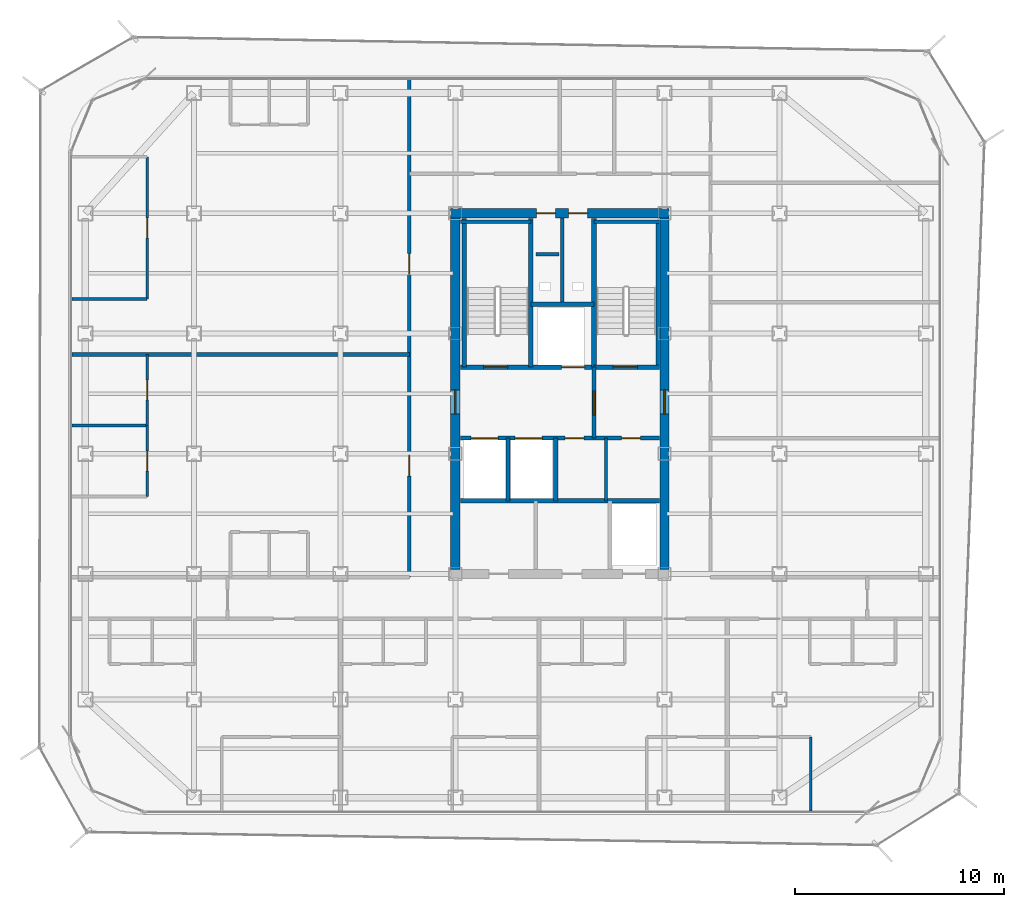
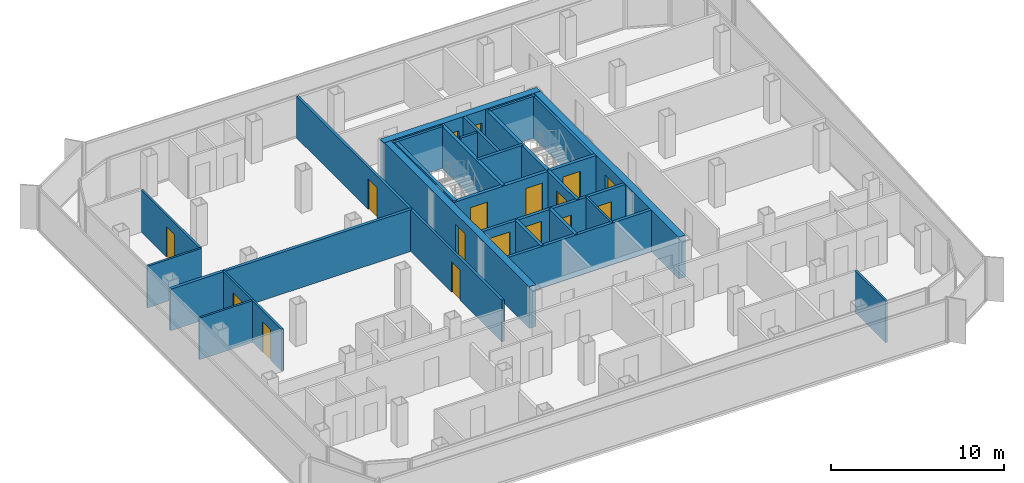
# One storey, part 11 of 16: 28 walls, 17 doors, 17 openings.
"""IFC4 building model written with IfcOpenShell, lengths in metres."""

from ifc_helpers import new_model, si_unit, direction, frame, frame_2d, origin, place, context, subcontext, project, spatial, rectangle, extrude, material, layer, layer_set, type_object, element, fill, save


model = new_model("IFC4")

# Units and contexts
model_context = context("Model", 3, precision=1e-05, world=origin(), true_north=direction((0.0, 1.0)))
body_context = subcontext(model_context, "Body", "Model", "MODEL_VIEW")
ifc_project = project(units=[si_unit("LENGTHUNIT", "METRE"), si_unit("AREAUNIT", "SQUARE_METRE"), si_unit("VOLUMEUNIT", "CUBIC_METRE"), si_unit("PLANEANGLEUNIT", "RADIAN"), si_unit("MASSUNIT", "GRAM", prefix="KILO")], contexts=[model_context])

# Site, building, storey
site_placement = place(None, origin())
site = spatial("IfcSite", under=ifc_project, at=site_placement, CompositionType="ELEMENT")
building_placement = place(site_placement, origin())
building = spatial("IfcBuilding", under=site, at=building_placement, Name="Kolveth Station Tower", CompositionType="ELEMENT")
storey_placement = place(building_placement, frame((0.0, 0.0, 206.0)))
storey = spatial("IfcBuildingStorey", under=building, at=storey_placement, Name="L58", CompositionType="ELEMENT", Elevation=206.0)

# Wall, openings, doors
ifc_material_1 = material(Name="Concrete C50/60", Category="concrete")
ifc_layer_1 = layer(ifc_material_1, 0.449951171875)
ifc_layer_set_1 = layer_set([ifc_layer_1], Name="Concrete C50/60")
wall_type_1 = type_object("IfcWallType", Name="Wall_CW-450", PredefinedType="SHEAR", material=ifc_layer_set_1)
wall_1_placement = place(storey_placement, frame((18.27490234375, 28.75, 0.0), z_axis=(0.0, 0.0, 1.0), x_axis=(1.0, 0.0, 0.0)))
wall_1 = element("IfcWall", 1, at=wall_1_placement, inside=storey, type_object=wall_type_1, Name="L58 Core RC Shear Wall N", PredefinedType="SHEAR", context=body_context, shape_type="SweptSolid", body=[
    extrude(rectangle(XDim=10.4501953125, YDim=0.449951171875, at=frame_2d((5.22509765625, 0.0))), origin(), (0.0, 0.0, 1.0), 2.949951171875),
])
opening_1_placement = place(wall_1_placement, frame((4.10498046875, 0.0, 0.0)))
opening_1 = element("IfcOpeningElement", 2, at=opening_1_placement, cuts=wall_1, Name="Opening RD1", PredefinedType="OPENING", context=body_context, shape_type="SweptSolid", body=[
    extrude(rectangle(XDim=0.89990234375, YDim=2.050048828125, at=frame_2d((0.449951171875, 1.02490234375))), frame((0.0, 0.23486328125, 0.0), z_axis=(0.0, -1.0, 0.0), x_axis=(1.0, 0.0, 0.0)), (0.0, 0.0, 1.0), 0.469970703125),
])
opening_2_placement = place(wall_1_placement, frame((5.64501953125, 0.0, 0.0)))
opening_2 = element("IfcOpeningElement", 3, at=opening_2_placement, cuts=wall_1, Name="Opening RD1", PredefinedType="OPENING", context=body_context, shape_type="SweptSolid", body=[
    extrude(rectangle(XDim=0.89990234375, YDim=2.050048828125, at=frame_2d((0.449951171875, 1.02490234375))), frame((0.0, 0.23486328125, 0.0), z_axis=(0.0, -1.0, 0.0), x_axis=(1.0, 0.0, 0.0)), (0.0, 0.0, 1.0), 0.469970703125),
])
ifc_material_2 = material(Name="Fire-rated Steel S355 riser access leaf", Category="steel")
door_type_1 = type_object("IfcDoorType", Name="Door_RD1", OperationType="NOTDEFINED", PredefinedType="DOOR", material=ifc_material_2)
door_1_placement = place(opening_1_placement, origin())
door_1 = element("IfcDoor", 4, at=door_1_placement, inside=storey, type_object=door_type_1, Name="L58 Electrical Riser Access Door", OperationType="SINGLE_SWING_LEFT", OverallHeight=2.050048828125, OverallWidth=0.89990234375, PredefinedType="DOOR", context=body_context, shape_type="SweptSolid", body=[
    extrude(rectangle(XDim=0.89990234375, YDim=2.050048828125, at=frame_2d((0.449951171875, 1.02490234375))), frame((0.0, 0.02490234375, 0.0), z_axis=(0.0, -1.0, 0.0), x_axis=(1.0, 0.0, 0.0)), (0.0, 0.0, 1.0), 0.050048828125),
])
fill(opening_1, door_1)
door_2_placement = place(opening_2_placement, origin())
door_2 = element("IfcDoor", 5, at=door_2_placement, inside=storey, type_object=door_type_1, Name="L58 Smoke Duct Access Door", OperationType="SINGLE_SWING_RIGHT", OverallHeight=2.050048828125, OverallWidth=0.89990234375, PredefinedType="DOOR", context=body_context, shape_type="SweptSolid", body=[
    extrude(rectangle(XDim=0.89990234375, YDim=2.050048828125, at=frame_2d((0.449951171875, 1.02490234375))), frame((0.0, 0.02490234375, 0.0), z_axis=(0.0, -1.0, 0.0), x_axis=(1.0, 0.0, 0.0)), (0.0, 0.0, 1.0), 0.050048828125),
])
fill(opening_2, door_2)

# Wall, opening, door
wall_2_placement = place(storey_placement, frame((18.5, 11.72509765625, 0.0), z_axis=(0.0, 0.0, 1.0), x_axis=(0.0, 1.0, 0.0)))
wall_2 = element("IfcWall", 6, at=wall_2_placement, inside=storey, type_object=wall_type_1, Name="L58 Core RC Shear Wall W", PredefinedType="SHEAR", context=body_context, shape_type="SweptSolid", body=[
    extrude(rectangle(XDim=16.7998046875, YDim=0.449951171875, at=frame_2d((8.39990234375, 0.0))), origin(), (0.0, 0.0, 1.0), 2.949951171875),
])
opening_3_placement = place(wall_2_placement, frame((7.425048828125, 0.0, 0.0)))
opening_3 = element("IfcOpeningElement", 7, at=opening_3_placement, cuts=wall_2, Name="Opening FD1", PredefinedType="OPENING", context=body_context, shape_type="SweptSolid", body=[
    extrude(rectangle(XDim=1.14990234375, YDim=2.199951171875, at=frame_2d((0.574951171875, 1.10009765625))), frame((0.0, 0.23486328125, 0.0), z_axis=(0.0, -1.0, 0.0), x_axis=(1.0, 0.0, 0.0)), (0.0, 0.0, 1.0), 0.469970703125),
])
ifc_material_3 = material(Name="Fire-rated Steel S355 leaf and frame", Category="steel")
door_type_2 = type_object("IfcDoorType", Name="Door_FD1", OperationType="NOTDEFINED", PredefinedType="DOOR", material=ifc_material_3)
door_3_placement = place(opening_3_placement, frame((1.14990234375, 0.0, 0.0), z_axis=(0.0, 0.0, 1.0), x_axis=(-1.0, 0.0, 0.0)))
door_3 = element("IfcDoor", 8, at=door_3_placement, inside=storey, type_object=door_type_2, Name="L58 West Corridor to Firefighting Lobby Door", OperationType="SINGLE_SWING_LEFT", OverallHeight=2.199951171875, OverallWidth=1.14990234375, PredefinedType="DOOR", context=body_context, shape_type="SweptSolid", body=[
    extrude(rectangle(XDim=1.14990234375, YDim=2.199951171875, at=frame_2d((0.574951171875, 1.10009765625))), frame((0.0, 0.02490234375, 0.0), z_axis=(0.0, -1.0, 0.0), x_axis=(1.0, 0.0, 0.0)), (0.0, 0.0, 1.0), 0.050048828125),
])
fill(opening_3, door_3)

wall_3_placement = place(storey_placement, frame((28.5, 11.72509765625, 0.0), z_axis=(0.0, 0.0, 1.0), x_axis=(0.0, 1.0, 0.0)))
wall_3 = element("IfcWall", 9, at=wall_3_placement, inside=storey, type_object=wall_type_1, Name="L58 Core RC Shear Wall E", PredefinedType="SHEAR", context=body_context, shape_type="SweptSolid", body=[
    extrude(rectangle(XDim=16.7998046875, YDim=0.449951171875, at=frame_2d((8.39990234375, 0.0))), origin(), (0.0, 0.0, 1.0), 2.949951171875),
])
opening_4_placement = place(wall_3_placement, frame((7.425048828125, 0.0, 0.0)))
opening_4 = element("IfcOpeningElement", 10, at=opening_4_placement, cuts=wall_3, Name="Opening FD1", PredefinedType="OPENING", context=body_context, shape_type="SweptSolid", body=[
    extrude(rectangle(XDim=1.14990234375, YDim=2.199951171875, at=frame_2d((0.574951171875, 1.10009765625))), frame((0.0, 0.23486328125, 0.0), z_axis=(0.0, -1.0, 0.0), x_axis=(1.0, 0.0, 0.0)), (0.0, 0.0, 1.0), 0.469970703125),
])
door_4_placement = place(opening_4_placement, origin())
door_4 = element("IfcDoor", 11, at=door_4_placement, inside=storey, type_object=door_type_2, Name="L58 East Corridor to Stair Lobby Door", OperationType="SINGLE_SWING_LEFT", OverallHeight=2.199951171875, OverallWidth=1.14990234375, PredefinedType="DOOR", context=body_context, shape_type="SweptSolid", body=[
    extrude(rectangle(XDim=1.14990234375, YDim=2.199951171875, at=frame_2d((0.574951171875, 1.10009765625))), frame((0.0, 0.02490234375, 0.0), z_axis=(0.0, -1.0, 0.0), x_axis=(1.0, 0.0, 0.0)), (0.0, 0.0, 1.0), 0.050048828125),
])
fill(opening_4, door_4)

# Walls
ifc_material_4 = material(Name="Moisture-resistant gypsum partition")
ifc_layer_2 = layer(ifc_material_4, 0.135009765625)
ifc_layer_set_2 = layer_set([ifc_layer_2], Name="Moisture-resistant gypsum partition")
wall_type_2 = type_object("IfcWallType", Name="Wall_IW-135", PredefinedType="PARTITIONING", material=ifc_layer_set_2)
wall_4_placement = place(storey_placement, frame((25.699951171875, 15.0, 0.0), z_axis=(0.0, 0.0, 1.0), x_axis=(0.0, 1.0, 0.0)))
element("IfcWall", 12, at=wall_4_placement, inside=storey, type_object=wall_type_2, Name="L58 Partition Wall WL-L58-CB-V1", PredefinedType="PARTITIONING", context=body_context, shape_type="SweptSolid", body=[
    extrude(rectangle(XDim=3.0, YDim=0.135009765625, at=frame_2d((1.5, 0.0))), origin(), (0.0, 0.0, 1.0), 2.949951171875),
])
wall_5_placement = place(storey_placement, frame((35.4990234375, 0.159912109375, 0.0), z_axis=(0.0, 0.0, 1.0), x_axis=(0.0, 1.0, 0.0)))
element("IfcWall", 13, at=wall_5_placement, inside=storey, type_object=wall_type_2, Name="L58 Partition Wall WL-L58-A4-BDVE", PredefinedType="PARTITIONING", context=body_context, shape_type="SweptSolid", body=[
    extrude(rectangle(XDim=3.550048828125, YDim=0.135009765625, at=frame_2d((1.77490234375, 0.0))), origin(), (0.0, 0.0, 1.0), 2.949951171875),
])

# Wall, opening, door
wall_6_placement = place(storey_placement, frame((3.760009765625, 15.199951171875, 0.0), z_axis=(0.0, 0.0, 1.0), x_axis=(0.0, 1.0, 0.0)))
wall_6 = element("IfcWall", 14, at=wall_6_placement, inside=storey, type_object=wall_type_2, Name="L58 Partition Wall WL-L58-W1-BDV1", PredefinedType="PARTITIONING", context=body_context, shape_type="SweptSolid", body=[
    extrude(rectangle(XDim=3.400146484375, YDim=0.135009765625, at=frame_2d((1.7001953125, 0.0))), origin(), (0.0, 0.0, 1.0), 2.949951171875),
])
opening_5_placement = place(wall_6_placement, frame((1.219970703125, 0.0, 0.0)))
opening_5 = element("IfcOpeningElement", 15, at=opening_5_placement, cuts=wall_6, Name="Opening ID1", PredefinedType="OPENING", context=body_context, shape_type="SweptSolid", body=[
    extrude(rectangle(XDim=0.949951171875, YDim=2.14990234375, at=frame_2d((0.47509765625, 1.074951171875))), frame((0.0, 0.077392578125, 0.0), z_axis=(0.0, -1.0, 0.0), x_axis=(1.0, 0.0, 0.0)), (0.0, 0.0, 1.0), 0.155029296875),
])
ifc_material_5 = material(Name="Acoustic hardwood leaf and aluminium frame", Category="wood")
door_type_3 = type_object("IfcDoorType", Name="Door_ID1", OperationType="NOTDEFINED", PredefinedType="DOOR", material=ifc_material_5)
door_5_placement = place(opening_5_placement, origin())
door_5 = element("IfcDoor", 16, at=door_5_placement, inside=storey, type_object=door_type_3, Name="Penthouse Flat L58-W1 Bedroom 1 Door", OperationType="SINGLE_SWING_LEFT", OverallHeight=2.14990234375, OverallWidth=0.949951171875, PredefinedType="DOOR", context=body_context, shape_type="SweptSolid", body=[
    extrude(rectangle(XDim=0.949951171875, YDim=2.14990234375, at=frame_2d((0.47509765625, 1.074951171875))), frame((0.0, 0.02490234375, 0.0), z_axis=(0.0, -1.0, 0.0), x_axis=(1.0, 0.0, 0.0)), (0.0, 0.0, 1.0), 0.050048828125),
])
fill(opening_5, door_5)

wall_7_placement = place(storey_placement, frame((3.760009765625, 18.60009765625, 0.0), z_axis=(0.0, 0.0, 1.0), x_axis=(0.0, 1.0, 0.0)))
wall_7 = element("IfcWall", 17, at=wall_7_placement, inside=storey, type_object=wall_type_2, Name="L58 Partition Wall WL-L58-W1-BDV2", PredefinedType="PARTITIONING", context=body_context, shape_type="SweptSolid", body=[
    extrude(rectangle(XDim=3.39990234375, YDim=0.135009765625, at=frame_2d((1.699951171875, 0.0))), origin(), (0.0, 0.0, 1.0), 2.949951171875),
])
opening_6_placement = place(wall_7_placement, frame((1.219970703125, 0.0, 0.0)))
opening_6 = element("IfcOpeningElement", 18, at=opening_6_placement, cuts=wall_7, Name="Opening ID1", PredefinedType="OPENING", context=body_context, shape_type="SweptSolid", body=[
    extrude(rectangle(XDim=0.949951171875, YDim=2.14990234375, at=frame_2d((0.47509765625, 1.074951171875))), frame((0.0, 0.077392578125, 0.0), z_axis=(0.0, -1.0, 0.0), x_axis=(1.0, 0.0, 0.0)), (0.0, 0.0, 1.0), 0.155029296875),
])
door_6_placement = place(opening_6_placement, origin())
door_6 = element("IfcDoor", 19, at=door_6_placement, inside=storey, type_object=door_type_3, Name="Penthouse Flat L58-W1 Bedroom 2 Door", OperationType="SINGLE_SWING_RIGHT", OverallHeight=2.14990234375, OverallWidth=0.949951171875, PredefinedType="DOOR", context=body_context, shape_type="SweptSolid", body=[
    extrude(rectangle(XDim=0.949951171875, YDim=2.14990234375, at=frame_2d((0.47509765625, 1.074951171875))), frame((0.0, 0.02490234375, 0.0), z_axis=(0.0, -1.0, 0.0), x_axis=(1.0, 0.0, 0.0)), (0.0, 0.0, 1.0), 0.050048828125),
])
fill(opening_6, door_6)

# Walls
for number, where, z_axis, x_axis, name in (
    (20, (0.159912109375, 18.60009765625, 0.0), (0.0, 0.0, 1.0), (1.0, 0.0, 0.0), "L58 Partition Wall WL-L58-W1-BDH1"),
    (21, (0.159912109375, 24.64599609375, 0.0), (0.0, 0.0, 1.0), (1.0, 0.0, 0.0), "L58 Partition Wall WL-L58-W2-BDH0"),
):
    element("IfcWall", number, at=place(storey_placement, frame(where, z_axis=z_axis, x_axis=x_axis)), inside=storey, type_object=wall_type_2, Name=name, PredefinedType="PARTITIONING", context=body_context, shape_type="SweptSolid", body=[
        extrude(rectangle(XDim=3.60009765625, YDim=0.135009765625, at=frame_2d((1.800048828125, 0.0))), origin(), (0.0, 0.0, 1.0), 2.949951171875),
    ])

# Wall, opening, door
wall_8_placement = place(storey_placement, frame((3.760009765625, 24.64599609375, 0.0), z_axis=(0.0, 0.0, 1.0), x_axis=(0.0, 1.0, 0.0)))
wall_8 = element("IfcWall", 22, at=wall_8_placement, inside=storey, type_object=wall_type_2, Name="L58 Partition Wall WL-L58-W2-BDV1", PredefinedType="PARTITIONING", context=body_context, shape_type="SweptSolid", body=[
    extrude(rectangle(XDim=6.803955078125, YDim=0.135009765625, at=frame_2d((3.40185546875, 0.0))), origin(), (0.0, 0.0, 1.0), 2.949951171875),
])
opening_7_placement = place(wall_8_placement, frame((2.922119140625, 0.0, 0.0)))
opening_7 = element("IfcOpeningElement", 23, at=opening_7_placement, cuts=wall_8, Name="Opening ID1", PredefinedType="OPENING", context=body_context, shape_type="SweptSolid", body=[
    extrude(rectangle(XDim=0.949951171875, YDim=2.14990234375, at=frame_2d((0.47509765625, 1.074951171875))), frame((0.0, 0.077392578125, 0.0), z_axis=(0.0, -1.0, 0.0), x_axis=(1.0, 0.0, 0.0)), (0.0, 0.0, 1.0), 0.155029296875),
])
door_7_placement = place(opening_7_placement, origin())
door_7 = element("IfcDoor", 24, at=door_7_placement, inside=storey, type_object=door_type_3, Name="Penthouse Flat L58-W2 Bedroom 1 Door", OperationType="SINGLE_SWING_LEFT", OverallHeight=2.14990234375, OverallWidth=0.949951171875, PredefinedType="DOOR", context=body_context, shape_type="SweptSolid", body=[
    extrude(rectangle(XDim=0.949951171875, YDim=2.14990234375, at=frame_2d((0.47509765625, 1.074951171875))), frame((0.0, 0.02490234375, 0.0), z_axis=(0.0, -1.0, 0.0), x_axis=(1.0, 0.0, 0.0)), (0.0, 0.0, 1.0), 0.050048828125),
])
fill(opening_7, door_7)

# Walls
ifc_material_6 = material(Name="Acoustic double-stud gypsum partition")
ifc_layer_3 = layer(ifc_material_6, 0.1650390625)
ifc_layer_set_3 = layer_set([ifc_layer_3], Name="Acoustic double-stud gypsum partition")
wall_type_3 = type_object("IfcWallType", Name="Wall_IW-165", PredefinedType="PARTITIONING", material=ifc_layer_set_3)
wall_9_placement = place(storey_placement, frame((18.735107421875, 28.3349609375, 0.0), z_axis=(0.0, 0.0, 1.0), x_axis=(1.0, 0.0, 0.0)))
element("IfcWall", 25, at=wall_9_placement, inside=storey, type_object=wall_type_3, Name="L58 Stair Shaft Wall WL-L58-ST1-N", PredefinedType="PARTITIONING", context=body_context, shape_type="SweptSolid", body=[
    extrude(rectangle(XDim=3.375, YDim=0.1650390625, at=frame_2d((1.6875, 0.0))), origin(), (0.0, 0.0, 1.0), 2.949951171875),
])
wall_10_placement = place(storey_placement, frame((25.1298828125, 28.3349609375, 0.0), z_axis=(0.0, 0.0, 1.0), x_axis=(1.0, 0.0, 0.0)))
element("IfcWall", 26, at=wall_10_placement, inside=storey, type_object=wall_type_3, Name="L58 Stair Shaft Wall WL-L58-ST2-N", PredefinedType="PARTITIONING", context=body_context, shape_type="SweptSolid", body=[
    extrude(rectangle(XDim=3.135009765625, YDim=0.1650390625, at=frame_2d((1.5673828125, 0.0))), origin(), (0.0, 0.0, 1.0), 2.949951171875),
])
wall_11_placement = place(storey_placement, frame((28.1826171875, 21.389892578125, 0.0), z_axis=(0.0, 0.0, 1.0), x_axis=(0.0, 1.0, 0.0)))
element("IfcWall", 27, at=wall_11_placement, inside=storey, type_object=wall_type_3, Name="L58 Stair Shaft Wall WL-L58-ST2-E", PredefinedType="PARTITIONING", context=body_context, shape_type="SweptSolid", body=[
    extrude(rectangle(XDim=6.945068359375, YDim=0.1650390625, at=frame_2d((3.47265625, 0.0))), origin(), (0.0, 0.0, 1.0), 2.949951171875),
])
wall_12_placement = place(storey_placement, frame((23.6201171875, 24.39990234375, 0.0), z_axis=(0.0, 0.0, 1.0), x_axis=(0.0, 1.0, 0.0)))
element("IfcWall", 28, at=wall_12_placement, inside=storey, type_object=wall_type_3, Name="L58 Partition Wall WL-L58-RSR-M", PredefinedType="PARTITIONING", context=body_context, shape_type="SweptSolid", body=[
    extrude(rectangle(XDim=4.114990234375, YDim=0.1650390625, at=frame_2d((2.0576171875, 0.0))), origin(), (0.0, 0.0, 1.0), 2.949951171875),
])

# Wall, openings, doors
wall_13_placement = place(storey_placement, frame((16.300048828125, 11.35009765625, 0.0), z_axis=(0.0, 0.0, 1.0), x_axis=(0.0, 1.0, 0.0)))
wall_13 = element("IfcWall", 29, at=wall_13_placement, inside=storey, type_object=wall_type_3, Name="L58 Partition Wall WL-L58-RW", PredefinedType="PARTITIONING", context=body_context, shape_type="SweptSolid", body=[
    extrude(rectangle(XDim=23.789794921875, YDim=0.1650390625, at=frame_2d((11.89501953125, 0.0))), origin(), (0.0, 0.0, 1.0), 2.949951171875),
])
opening_8_placement = place(wall_13_placement, frame((4.824951171875, 0.0, 0.0)))
opening_8 = element("IfcOpeningElement", 30, at=opening_8_placement, cuts=wall_13, Name="Opening FD3", PredefinedType="OPENING", context=body_context, shape_type="SweptSolid", body=[
    extrude(rectangle(XDim=1.0, YDim=2.14990234375, at=frame_2d((0.5, 1.074951171875))), frame((0.0, 0.092529296875, 0.0), z_axis=(0.0, -1.0, 0.0), x_axis=(1.0, 0.0, 0.0)), (0.0, 0.0, 1.0), 0.18505859375),
])
opening_9_placement = place(wall_13_placement, frame((14.47509765625, 0.0, 0.0)))
opening_9 = element("IfcOpeningElement", 31, at=opening_9_placement, cuts=wall_13, Name="Opening FD3", PredefinedType="OPENING", context=body_context, shape_type="SweptSolid", body=[
    extrude(rectangle(XDim=1.0, YDim=2.14990234375, at=frame_2d((0.5, 1.074951171875))), frame((0.0, 0.092529296875, 0.0), z_axis=(0.0, -1.0, 0.0), x_axis=(1.0, 0.0, 0.0)), (0.0, 0.0, 1.0), 0.18505859375),
])
ifc_material_7 = material(Name="Fire-rated hardwood leaf and aluminium frame", Category="wood")
door_type_4 = type_object("IfcDoorType", Name="Door_FD3", OperationType="NOTDEFINED", PredefinedType="DOOR", material=ifc_material_7)
door_8_placement = place(opening_8_placement, origin())
door_8 = element("IfcDoor", 32, at=door_8_placement, inside=storey, type_object=door_type_4, Name="Penthouse Flat L58-W1 Entrance Door", OperationType="SINGLE_SWING_LEFT", OverallHeight=2.14990234375, OverallWidth=1.0, PredefinedType="DOOR", context=body_context, shape_type="SweptSolid", body=[
    extrude(rectangle(XDim=1.0, YDim=2.14990234375, at=frame_2d((0.5, 1.074951171875))), frame((0.0, 0.02490234375, 0.0), z_axis=(0.0, -1.0, 0.0), x_axis=(1.0, 0.0, 0.0)), (0.0, 0.0, 1.0), 0.050048828125),
])
fill(opening_8, door_8)
door_9_placement = place(opening_9_placement, origin())
door_9 = element("IfcDoor", 33, at=door_9_placement, inside=storey, type_object=door_type_4, Name="Penthouse Flat L58-W2 Entrance Door", OperationType="SINGLE_SWING_LEFT", OverallHeight=2.14990234375, OverallWidth=1.0, PredefinedType="DOOR", context=body_context, shape_type="SweptSolid", body=[
    extrude(rectangle(XDim=1.0, YDim=2.14990234375, at=frame_2d((0.5, 1.074951171875))), frame((0.0, 0.02490234375, 0.0), z_axis=(0.0, -1.0, 0.0), x_axis=(1.0, 0.0, 0.0)), (0.0, 0.0, 1.0), 0.050048828125),
])
fill(opening_9, door_9)

# Walls
wall_14_placement = place(storey_placement, frame((22.35009765625, 26.800048828125, 0.0), z_axis=(0.0, 0.0, 1.0), x_axis=(1.0, 0.0, 0.0)))
element("IfcWall", 34, at=wall_14_placement, inside=storey, type_object=wall_type_3, Name="L58 Acoustic Riser Dry-Lining Wall", PredefinedType="PARTITIONING", context=body_context, shape_type="SweptSolid", body=[
    extrude(rectangle(XDim=1.099853515625, YDim=0.1650390625, at=frame_2d((0.5498046875, 0.0))), origin(), (0.0, 0.0, 1.0), 2.949951171875),
])
ifc_material_8 = material(Name="Acoustic fire-rated gypsum blockwork", Category="masonry")
ifc_layer_4 = layer(ifc_material_8, 0.199951171875)
ifc_layer_set_4 = layer_set([ifc_layer_4], Name="Acoustic fire-rated gypsum blockwork")
wall_type_4 = type_object("IfcWallType", Name="Wall_IW-200", PredefinedType="PARTITIONING", material=ifc_layer_set_4)
wall_15_placement = place(storey_placement, frame((22.110107421875, 24.39990234375, 0.0), z_axis=(0.0, 0.0, 1.0), x_axis=(1.0, 0.0, 0.0)))
element("IfcWall", 35, at=wall_15_placement, inside=storey, type_object=wall_type_4, Name="L58 Partition Wall WL-L58-RSR-S", PredefinedType="PARTITIONING", context=body_context, shape_type="SweptSolid", body=[
    extrude(rectangle(XDim=3.019775390625, YDim=0.199951171875, at=frame_2d((1.509765625, 0.0))), origin(), (0.0, 0.0, 1.0), 2.949951171875),
])

# Wall, opening, door
wall_16_placement = place(storey_placement, frame((25.1298828125, 18.0, 0.0), z_axis=(0.0, 0.0, 1.0), x_axis=(0.0, 1.0, 0.0)))
wall_16 = element("IfcWall", 36, at=wall_16_placement, inside=storey, type_object=wall_type_4, Name="L58 Partition Wall WL-L58-FFL-E", PredefinedType="PARTITIONING", context=body_context, shape_type="SweptSolid", body=[
    extrude(rectangle(XDim=3.389892578125, YDim=0.199951171875, at=frame_2d((1.69482421875, 0.0))), origin(), (0.0, 0.0, 1.0), 2.949951171875),
])
opening_10_placement = place(wall_16_placement, frame((1.10009765625, 0.0, 0.0)))
opening_10 = element("IfcOpeningElement", 37, at=opening_10_placement, cuts=wall_16, Name="Opening FD1", PredefinedType="OPENING", context=body_context, shape_type="SweptSolid", body=[
    extrude(rectangle(XDim=1.14990234375, YDim=2.199951171875, at=frame_2d((0.574951171875, 1.10009765625))), frame((0.0, 0.10986328125, 0.0), z_axis=(0.0, -1.0, 0.0), x_axis=(1.0, 0.0, 0.0)), (0.0, 0.0, 1.0), 0.219970703125),
])
door_10_placement = place(opening_10_placement, origin())
door_10 = element("IfcDoor", 38, at=door_10_placement, inside=storey, type_object=door_type_2, Name="L58 Firefighting to Stair Lobby Door", OperationType="SINGLE_SWING_RIGHT", OverallHeight=2.199951171875, OverallWidth=1.14990234375, PredefinedType="DOOR", context=body_context, shape_type="SweptSolid", body=[
    extrude(rectangle(XDim=1.14990234375, YDim=2.199951171875, at=frame_2d((0.574951171875, 1.10009765625))), frame((0.0, 0.02490234375, 0.0), z_axis=(0.0, -1.0, 0.0), x_axis=(1.0, 0.0, 0.0)), (0.0, 0.0, 1.0), 0.050048828125),
])
fill(opening_10, door_10)

# Wall, openings, doors
wall_17_placement = place(storey_placement, frame((18.735107421875, 18.0, 0.0), z_axis=(0.0, 0.0, 1.0), x_axis=(1.0, 0.0, 0.0)))
wall_17 = element("IfcWall", 39, at=wall_17_placement, inside=storey, type_object=wall_type_4, Name="L58 Partition Wall WL-L58-FFL-S", PredefinedType="PARTITIONING", context=body_context, shape_type="SweptSolid", body=[
    extrude(rectangle(XDim=9.52978515625, YDim=0.199951171875, at=frame_2d((4.764892578125, 0.0))), origin(), (0.0, 0.0, 1.0), 2.949951171875),
])
opening_11_placement = place(wall_17_placement, frame((0.514892578125, 0.0, 0.0)))
opening_11 = element("IfcOpeningElement", 40, at=opening_11_placement, cuts=wall_17, Name="Opening LD2", PredefinedType="OPENING", context=body_context, shape_type="SweptSolid", body=[
    extrude(rectangle(XDim=1.300048828125, YDim=2.300048828125, at=frame_2d((0.64990234375, 1.14990234375))), frame((0.0, 0.10986328125, 0.0), z_axis=(0.0, -1.0, 0.0), x_axis=(1.0, 0.0, 0.0)), (0.0, 0.0, 1.0), 0.219970703125),
])
opening_12_placement = place(wall_17_placement, frame((2.614990234375, 0.0, 0.0)))
opening_12 = element("IfcOpeningElement", 41, at=opening_12_placement, cuts=wall_17, Name="Opening LD2", PredefinedType="OPENING", context=body_context, shape_type="SweptSolid", body=[
    extrude(rectangle(XDim=1.300048828125, YDim=2.300048828125, at=frame_2d((0.64990234375, 1.14990234375))), frame((0.0, 0.10986328125, 0.0), z_axis=(0.0, -1.0, 0.0), x_axis=(1.0, 0.0, 0.0)), (0.0, 0.0, 1.0), 0.219970703125),
])
opening_13_placement = place(wall_17_placement, frame((5.014892578125, 0.0, 0.0)))
opening_13 = element("IfcOpeningElement", 42, at=opening_13_placement, cuts=wall_17, Name="Opening RD1", PredefinedType="OPENING", context=body_context, shape_type="SweptSolid", body=[
    extrude(rectangle(XDim=0.89990234375, YDim=2.050048828125, at=frame_2d((0.449951171875, 1.02490234375))), frame((0.0, 0.10986328125, 0.0), z_axis=(0.0, -1.0, 0.0), x_axis=(1.0, 0.0, 0.0)), (0.0, 0.0, 1.0), 0.219970703125),
])
opening_14_placement = place(wall_17_placement, frame((7.715087890625, 0.0, 0.0)))
opening_14 = element("IfcOpeningElement", 43, at=opening_14_placement, cuts=wall_17, Name="Opening RD1", PredefinedType="OPENING", context=body_context, shape_type="SweptSolid", body=[
    extrude(rectangle(XDim=0.89990234375, YDim=2.050048828125, at=frame_2d((0.449951171875, 1.02490234375))), frame((0.0, 0.10986328125, 0.0), z_axis=(0.0, -1.0, 0.0), x_axis=(1.0, 0.0, 0.0)), (0.0, 0.0, 1.0), 0.219970703125),
])
ifc_material_9 = material(Name="Firefighting stainless steel sliding landing doors", Category="steel")
door_type_5 = type_object("IfcDoorType", Name="Door_LD2", OperationType="NOTDEFINED", PredefinedType="DOOR", material=ifc_material_9)
door_11_placement = place(opening_11_placement, origin())
door_11 = element("IfcDoor", 44, at=door_11_placement, inside=storey, type_object=door_type_5, Name="L58 Firefighting Lift FF1 Landing Door", OperationType="DOUBLE_DOOR_SLIDING", OverallHeight=2.300048828125, OverallWidth=1.300048828125, PredefinedType="DOOR", context=body_context, shape_type="SweptSolid", body=[
    extrude(rectangle(XDim=1.300048828125, YDim=2.300048828125, at=frame_2d((0.64990234375, 1.14990234375))), frame((0.0, 0.02490234375, 0.0), z_axis=(0.0, -1.0, 0.0), x_axis=(1.0, 0.0, 0.0)), (0.0, 0.0, 1.0), 0.050048828125),
])
fill(opening_11, door_11)
door_12_placement = place(opening_12_placement, origin())
door_12 = element("IfcDoor", 45, at=door_12_placement, inside=storey, type_object=door_type_5, Name="L58 Firefighting Lift FF2 Landing Door", OperationType="DOUBLE_DOOR_SLIDING", OverallHeight=2.300048828125, OverallWidth=1.300048828125, PredefinedType="DOOR", context=body_context, shape_type="SweptSolid", body=[
    extrude(rectangle(XDim=1.300048828125, YDim=2.300048828125, at=frame_2d((0.64990234375, 1.14990234375))), frame((0.0, 0.02490234375, 0.0), z_axis=(0.0, -1.0, 0.0), x_axis=(1.0, 0.0, 0.0)), (0.0, 0.0, 1.0), 0.050048828125),
])
fill(opening_12, door_12)
door_13_placement = place(opening_13_placement, frame((0.89990234375, 0.0, 0.0), z_axis=(0.0, 0.0, 1.0), x_axis=(-1.0, 0.0, 0.0)))
door_13 = element("IfcDoor", 46, at=door_13_placement, inside=storey, type_object=door_type_1, Name="L58 Core Accessible WC Door", OperationType="SINGLE_SWING_LEFT", OverallHeight=2.050048828125, OverallWidth=0.89990234375, PredefinedType="DOOR", context=body_context, shape_type="SweptSolid", body=[
    extrude(rectangle(XDim=0.89990234375, YDim=2.050048828125, at=frame_2d((0.449951171875, 1.02490234375))), frame((0.0, 0.02490234375, 0.0), z_axis=(0.0, -1.0, 0.0), x_axis=(1.0, 0.0, 0.0)), (0.0, 0.0, 1.0), 0.050048828125),
])
fill(opening_13, door_13)
door_14_placement = place(opening_14_placement, frame((0.89990234375, 0.0, 0.0), z_axis=(0.0, 0.0, 1.0), x_axis=(-1.0, 0.0, 0.0)))
door_14 = element("IfcDoor", 47, at=door_14_placement, inside=storey, type_object=door_type_1, Name="L58 Core Cleaner Store Door", OperationType="SINGLE_SWING_RIGHT", OverallHeight=2.050048828125, OverallWidth=0.89990234375, PredefinedType="DOOR", context=body_context, shape_type="SweptSolid", body=[
    extrude(rectangle(XDim=0.89990234375, YDim=2.050048828125, at=frame_2d((0.449951171875, 1.02490234375))), frame((0.0, 0.02490234375, 0.0), z_axis=(0.0, -1.0, 0.0), x_axis=(1.0, 0.0, 0.0)), (0.0, 0.0, 1.0), 0.050048828125),
])
fill(opening_14, door_14)

# Walls
for number, where, z_axis, x_axis, name in (
    (48, (21.02001953125, 15.0, 0.0), (0.0, 0.0, 1.0), (0.0, 1.0, 0.0), "L58 Partition Wall WL-L58-FF12"),
    (49, (23.300048828125, 15.0, 0.0), (0.0, 0.0, 1.0), (0.0, 1.0, 0.0), "L58 Partition Wall WL-L58-FF2E"),
):
    element("IfcWall", number, at=place(storey_placement, frame(where, z_axis=z_axis, x_axis=x_axis)), inside=storey, type_object=wall_type_4, Name=name, PredefinedType="PARTITIONING", context=body_context, shape_type="SweptSolid", body=[
        extrude(rectangle(XDim=3.0, YDim=0.199951171875, at=frame_2d((1.5, 0.0))), origin(), (0.0, 0.0, 1.0), 2.949951171875),
    ])
wall_18_placement = place(storey_placement, frame((18.735107421875, 15.0, 0.0), z_axis=(0.0, 0.0, 1.0), x_axis=(1.0, 0.0, 0.0)))
element("IfcWall", 50, at=wall_18_placement, inside=storey, type_object=wall_type_4, Name="L58 Partition Wall WL-L58-BOH-S", PredefinedType="PARTITIONING", context=body_context, shape_type="SweptSolid", body=[
    extrude(rectangle(XDim=9.52978515625, YDim=0.199951171875, at=frame_2d((4.764892578125, 0.0))), origin(), (0.0, 0.0, 1.0), 2.949951171875),
])
wall_19_placement = place(storey_placement, frame((0.159912109375, 22.0, 0.0), z_axis=(0.0, 0.0, 1.0), x_axis=(1.0, 0.0, 0.0)))
element("IfcWall", 51, at=wall_19_placement, inside=storey, type_object=wall_type_4, Name="L58 Partition Wall WL-L58-RWU-1", PredefinedType="PARTITIONING", context=body_context, shape_type="SweptSolid", body=[
    extrude(rectangle(XDim=16.14013671875, YDim=0.199951171875, at=frame_2d((8.070068359375, 0.0))), origin(), (0.0, 0.0, 1.0), 2.949951171875),
])
ifc_material_10 = material(Name="Concrete C40/50", Category="concrete")
ifc_layer_5 = layer(ifc_material_10, 0.219970703125)
ifc_layer_set_5 = layer_set([ifc_layer_5], Name="Concrete C40/50")
wall_type_5 = type_object("IfcWallType", Name="Wall_IW-220", PredefinedType="SOLIDWALL", material=ifc_layer_set_5)
for number, where, z_axis, x_axis, name in (
    (52, (18.929931640625, 21.389892578125, 0.0), (0.0, 0.0, 1.0), (0.0, 1.0, 0.0), "L58 Stair Shaft Wall WL-L58-ST1-W"),
    (53, (22.110107421875, 21.389892578125, 0.0), (0.0, 0.0, 1.0), (0.0, 1.0, 0.0), "L58 Stair Shaft Wall WL-L58-ST1-E"),
    (54, (25.1298828125, 21.389892578125, 0.0), (0.0, 0.0, 1.0), (0.0, 1.0, 0.0), "L58 Stair Shaft Wall WL-L58-ST2-W"),
):
    element("IfcWall", number, at=place(storey_placement, frame(where, z_axis=z_axis, x_axis=x_axis)), inside=storey, type_object=wall_type_5, Name=name, PredefinedType="SOLIDWALL", context=body_context, shape_type="SweptSolid", body=[
        extrude(rectangle(XDim=7.110107421875, YDim=0.219970703125, at=frame_2d((3.55517578125, 0.0))), origin(), (0.0, 0.0, 1.0), 2.949951171875),
    ])

# Wall, openings, doors
wall_20_placement = place(storey_placement, frame((18.735107421875, 21.389892578125, 0.0), z_axis=(0.0, 0.0, 1.0), x_axis=(1.0, 0.0, 0.0)))
wall_20 = element("IfcWall", 55, at=wall_20_placement, inside=storey, type_object=wall_type_5, Name="L58 Stair Shaft Wall WL-L58-ST1-S", PredefinedType="SOLIDWALL", context=body_context, shape_type="SweptSolid", body=[
    extrude(rectangle(XDim=6.394775390625, YDim=0.219970703125, at=frame_2d((3.197265625, 0.0))), origin(), (0.0, 0.0, 1.0), 2.949951171875),
])
opening_15_placement = place(wall_20_placement, frame((1.114990234375, 0.0, 0.0)))
opening_15 = element("IfcOpeningElement", 56, at=opening_15_placement, cuts=wall_20, Name="Opening FD1", PredefinedType="OPENING", context=body_context, shape_type="SweptSolid", body=[
    extrude(rectangle(XDim=1.14990234375, YDim=2.199951171875, at=frame_2d((0.574951171875, 1.10009765625))), frame((0.0, 0.119873046875, 0.0), z_axis=(0.0, -1.0, 0.0), x_axis=(1.0, 0.0, 0.0)), (0.0, 0.0, 1.0), 0.239990234375),
])
opening_16_placement = place(wall_20_placement, frame((4.844970703125, 0.0, 0.0)))
opening_16 = element("IfcOpeningElement", 57, at=opening_16_placement, cuts=wall_20, Name="Opening LD1", PredefinedType="OPENING", context=body_context, shape_type="SweptSolid", body=[
    extrude(rectangle(XDim=1.10009765625, YDim=2.25, at=frame_2d((0.550048828125, 1.125))), frame((0.0, 0.119873046875, 0.0), z_axis=(0.0, -1.0, 0.0), x_axis=(1.0, 0.0, 0.0)), (0.0, 0.0, 1.0), 0.239990234375),
])
door_15_placement = place(opening_15_placement, frame((1.14990234375, 0.0, 0.0), z_axis=(0.0, 0.0, 1.0), x_axis=(-1.0, 0.0, 0.0)))
door_15 = element("IfcDoor", 58, at=door_15_placement, inside=storey, type_object=door_type_2, Name="L58 Stair ST1 Fire Door", OperationType="SINGLE_SWING_RIGHT", OverallHeight=2.199951171875, OverallWidth=1.14990234375, PredefinedType="DOOR", context=body_context, shape_type="SweptSolid", body=[
    extrude(rectangle(XDim=1.14990234375, YDim=2.199951171875, at=frame_2d((0.574951171875, 1.10009765625))), frame((0.0, 0.02490234375, 0.0), z_axis=(0.0, -1.0, 0.0), x_axis=(1.0, 0.0, 0.0)), (0.0, 0.0, 1.0), 0.050048828125),
])
fill(opening_15, door_15)
ifc_material_11 = material(Name="Brushed stainless steel sliding landing doors", Category="steel")
door_type_6 = type_object("IfcDoorType", Name="Door_LD1", OperationType="NOTDEFINED", PredefinedType="DOOR", material=ifc_material_11)
door_16_placement = place(opening_16_placement, frame((1.10009765625, 0.0, 0.0), z_axis=(0.0, 0.0, 1.0), x_axis=(-1.0, 0.0, 0.0)))
door_16 = element("IfcDoor", 59, at=door_16_placement, inside=storey, type_object=door_type_6, Name="L58 Service Lift SV1 Landing Door", OperationType="DOUBLE_DOOR_SLIDING", OverallHeight=2.25, OverallWidth=1.10009765625, PredefinedType="DOOR", context=body_context, shape_type="SweptSolid", body=[
    extrude(rectangle(XDim=1.10009765625, YDim=2.25, at=frame_2d((0.550048828125, 1.125))), frame((0.0, 0.02490234375, 0.0), z_axis=(0.0, -1.0, 0.0), x_axis=(1.0, 0.0, 0.0)), (0.0, 0.0, 1.0), 0.050048828125),
])
fill(opening_16, door_16)

# Wall, opening, door
wall_21_placement = place(storey_placement, frame((25.1298828125, 21.389892578125, 0.0), z_axis=(0.0, 0.0, 1.0), x_axis=(1.0, 0.0, 0.0)))
wall_21 = element("IfcWall", 60, at=wall_21_placement, inside=storey, type_object=wall_type_5, Name="L58 Stair Shaft Wall WL-L58-ST2-S", PredefinedType="SOLIDWALL", context=body_context, shape_type="SweptSolid", body=[
    extrude(rectangle(XDim=3.135009765625, YDim=0.219970703125, at=frame_2d((1.5673828125, 0.0))), origin(), (0.0, 0.0, 1.0), 2.949951171875),
])
opening_17_placement = place(wall_21_placement, frame((0.919921875, 0.0, 0.0)))
opening_17 = element("IfcOpeningElement", 61, at=opening_17_placement, cuts=wall_21, Name="Opening FD1", PredefinedType="OPENING", context=body_context, shape_type="SweptSolid", body=[
    extrude(rectangle(XDim=1.14990234375, YDim=2.199951171875, at=frame_2d((0.574951171875, 1.10009765625))), frame((0.0, 0.119873046875, 0.0), z_axis=(0.0, -1.0, 0.0), x_axis=(1.0, 0.0, 0.0)), (0.0, 0.0, 1.0), 0.239990234375),
])
door_17_placement = place(opening_17_placement, frame((1.14990234375, 0.0, 0.0), z_axis=(0.0, 0.0, 1.0), x_axis=(-1.0, 0.0, 0.0)))
door_17 = element("IfcDoor", 62, at=door_17_placement, inside=storey, type_object=door_type_2, Name="L58 Stair ST2 Fire Door", OperationType="SINGLE_SWING_LEFT", OverallHeight=2.199951171875, OverallWidth=1.14990234375, PredefinedType="DOOR", context=body_context, shape_type="SweptSolid", body=[
    extrude(rectangle(XDim=1.14990234375, YDim=2.199951171875, at=frame_2d((0.574951171875, 1.10009765625))), frame((0.0, 0.02490234375, 0.0), z_axis=(0.0, -1.0, 0.0), x_axis=(1.0, 0.0, 0.0)), (0.0, 0.0, 1.0), 0.050048828125),
])
fill(opening_17, door_17)

save(model, "model.ifc")
